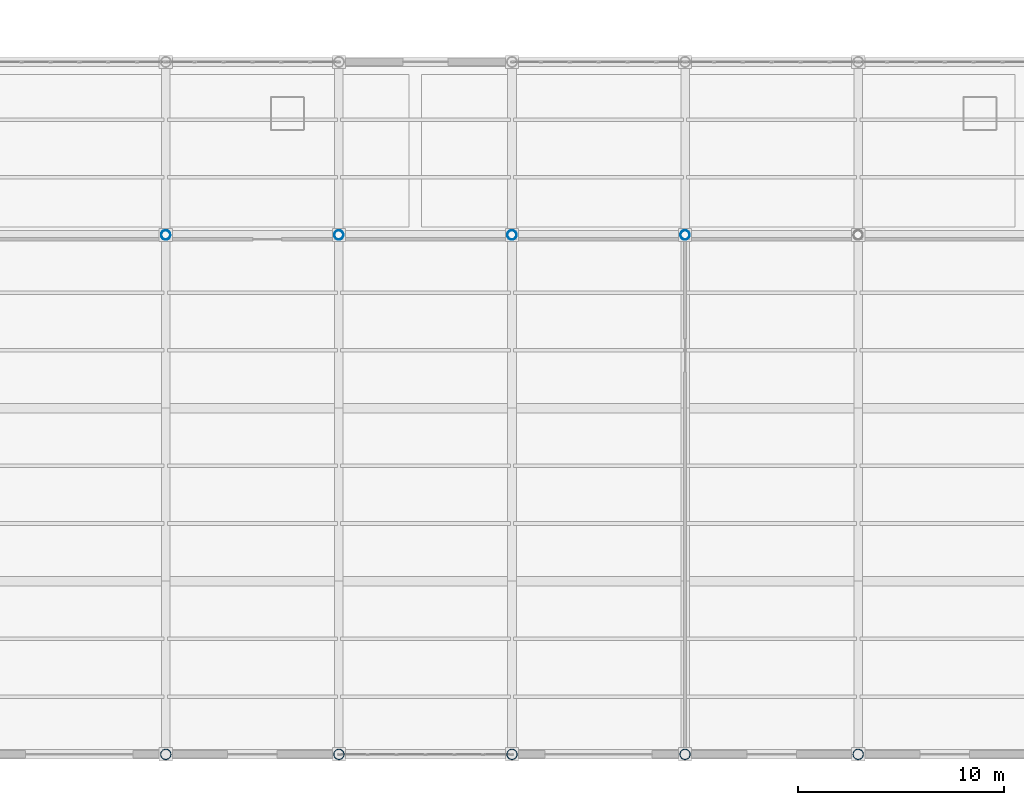
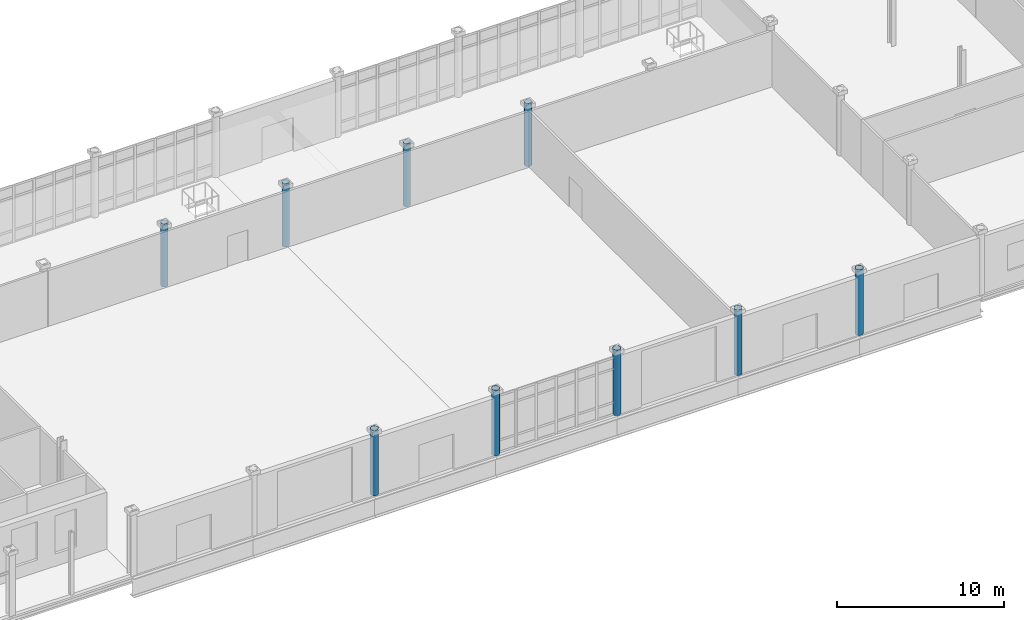
# One storey, part 7 of 145: 9 columns.
"""IFC4 building model written with IfcOpenShell, lengths in metres."""

from ifc_helpers import new_model, si_unit, direction, frame, origin, origin_2d, place, context, subcontext, project, spatial, hollow_circle, extrude, material, material_profile, profile_set, type_object, element, save


model = new_model("IFC4")

# Units and contexts
model_context = context("Model", 3, precision=1e-05, world=origin(), true_north=direction((0.0, 1.0)))
body_context = subcontext(model_context, "Body", "Model", "MODEL_VIEW")
ifc_project = project(units=[si_unit("LENGTHUNIT", "METRE"), si_unit("AREAUNIT", "SQUARE_METRE"), si_unit("VOLUMEUNIT", "CUBIC_METRE"), si_unit("PLANEANGLEUNIT", "RADIAN"), si_unit("MASSUNIT", "GRAM", prefix="KILO")], contexts=[model_context])

# Site, building, storey
site_placement = place(None, origin())
site = spatial("IfcSite", under=ifc_project, at=site_placement, CompositionType="ELEMENT")
building_placement = place(site_placement, origin())
building = spatial("IfcBuilding", under=site, at=building_placement, Name="Qalvenar Corner Mobility Hub", CompositionType="ELEMENT")
storey_placement = place(building_placement, origin())
storey = spatial("IfcBuildingStorey", under=building, at=storey_placement, Name="L00", CompositionType="ELEMENT", Elevation=0.0)

# Columns
ifc_material = material(Name="Steel S355", Category="steel")
ifc_material_profile_1 = material_profile(ifc_material, hollow_circle(Radius=0.228515625, WallThickness=0.01416015625, at=origin_2d()), Name="CHS457x14.2")
ifc_profile_set_1 = profile_set([ifc_material_profile_1], Name="Steel S355")
column_type_1 = type_object("IfcColumnType", Name="COL-CHS457", PredefinedType="COLUMN", material=ifc_profile_set_1)
for number, where, z_axis, x_axis, name in (
    (1, (67.199951171875, 25.199951171875, 0.0), (0.0, 0.0, 1.0), (1.0, 0.0, 0.0), "Steel Column L00-G9-3"),
    (2, (75.60009765625, 25.199951171875, 0.0), (0.0, 0.0, 1.0), (1.0, 0.0, 0.0), "Steel Column L00-G10-3"),
    (3, (84.0, 25.199951171875, 0.0), (0.0, 0.0, 1.0), (1.0, 0.0, 0.0), "Steel Column L00-G11-3"),
    (4, (92.39990234375, 25.199951171875, 0.0), (0.0, 0.0, 1.0), (1.0, 0.0, 0.0), "Steel Column L00-G12-3"),
):
    element("IfcColumn", number, at=place(storey_placement, frame(where, z_axis=z_axis, x_axis=x_axis)), inside=storey, type_object=column_type_1, Name=name, PredefinedType="COLUMN", context=body_context, shape_type="SweptSolid", body=[
        extrude(hollow_circle(Radius=0.228515625, WallThickness=0.01416015625, at=origin_2d()), origin(), (0.0, 0.0, 1.0), 4.6201171875),
    ])
ifc_material_profile_2 = material_profile(ifc_material, hollow_circle(Radius=0.25390625, WallThickness=0.01611328125, at=origin_2d()), Name="CHS508x16")
ifc_profile_set_2 = profile_set([ifc_material_profile_2], Name="Steel S355")
column_type_2 = type_object("IfcColumnType", Name="COL-CHS508", PredefinedType="COLUMN", material=ifc_profile_set_2)
for number, where, z_axis, x_axis, name in (
    (5, (67.199951171875, 0.0, 0.0), (0.0, 0.0, 1.0), (1.0, 0.0, 0.0), "Steel Column L00-G9-0"),
    (6, (75.60009765625, 0.0, 0.0), (0.0, 0.0, 1.0), (1.0, 0.0, 0.0), "Steel Column L00-G10-0"),
    (7, (84.0, 0.0, 0.0), (0.0, 0.0, 1.0), (1.0, 0.0, 0.0), "Steel Column L00-G11-0"),
    (8, (92.39990234375, 0.0, 0.0), (0.0, 0.0, 1.0), (1.0, 0.0, 0.0), "Steel Column L00-G12-0"),
    (9, (100.800048828125, 0.0, 0.0), (0.0, 0.0, 1.0), (1.0, 0.0, 0.0), "Steel Column L00-G13-0"),
):
    element("IfcColumn", number, at=place(storey_placement, frame(where, z_axis=z_axis, x_axis=x_axis)), inside=storey, type_object=column_type_2, Name=name, PredefinedType="COLUMN", context=body_context, shape_type="SweptSolid", body=[
        extrude(hollow_circle(Radius=0.25390625, WallThickness=0.01611328125, at=origin_2d()), origin(), (0.0, 0.0, 1.0), 4.800048828125),
    ])

save(model, "model.ifc")
